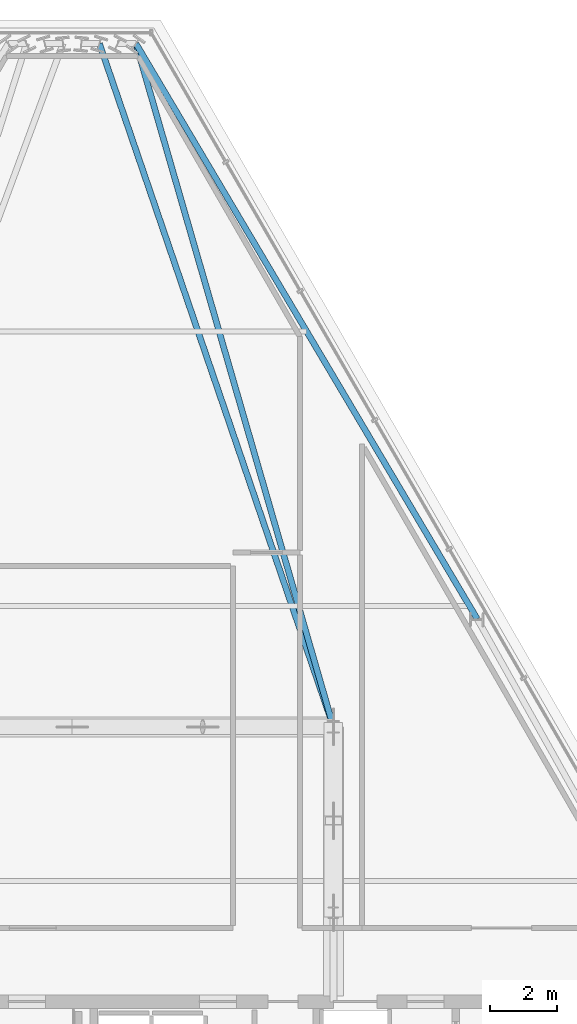
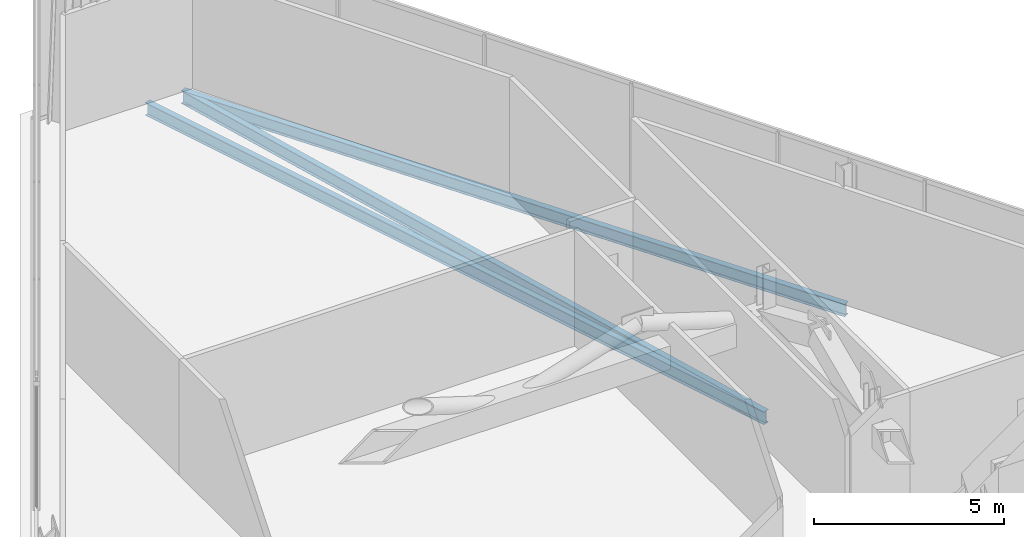
# One storey, part 19 of 32: 3 beams.
"""IFC4 building model written with IfcOpenShell, lengths in metres."""

import ifcopenshell
import ifcopenshell.guid

model = None  # the IFC model being written
_history = None  # IfcOwnerHistory: only IFC2X3 demands one
_inside = {}  # id of a spatial element -> (the spatial element, [elements in it])
_under = {}  # id of a project, library or spatial element -> (it, [spatial elements below it])
_declared = {}  # id of a project -> (the project, [libraries it declares])
_typed = {}  # id of a type object -> (the type object, [elements of that type])
_made_of = {}  # id of a material, layer set ... -> (it, [elements and type objects made of it])


def new_model(schema):
    """Start an empty IFC model of exactly this schema.

    Asked for "IFC4X3", IfcOpenShell would pick the latest addendum, in which some entities
    have other attributes; the version numbers below select the first issue.
    IFC2X3 requires an IfcOwnerHistory on every rooted entity: one is made here for all.
    """
    global model, _history
    if schema == "IFC4X3":
        model = ifcopenshell.file(schema_version=(4, 3, 0, 0))
    else:
        model = ifcopenshell.file(schema=schema)
    _inside.clear()
    _under.clear()
    _declared.clear()
    _typed.clear()
    _made_of.clear()
    _history = None
    if model.schema == "IFC2X3":
        org = make("IfcOrganization", Name="unknown")
        user = make(
            "IfcPersonAndOrganization",
            ThePerson=make("IfcPerson", FamilyName="unknown"),
            TheOrganization=org,
        )
        app = make(
            "IfcApplication",
            ApplicationDeveloper=org,
            Version="unknown",
            ApplicationFullName="unknown",
            ApplicationIdentifier="unknown",
        )
        _history = make(
            "IfcOwnerHistory",
            OwningUser=user,
            OwningApplication=app,
            ChangeAction="ADDED",
            CreationDate=0,
        )
    return model


def make(cls, **values):
    """One entity of the class cls with the attributes given. An attribute that is None is left unset."""
    return model.create_entity(
        cls, **{name: value for name, value in values.items() if value is not None}
    )


def rooted(cls, **values):
    """An entity with a GlobalId (a new one), such as an element, a storey or a relation."""
    return make(cls, GlobalId=ifcopenshell.guid.new(), OwnerHistory=_history, **values)


def si_unit(unit_type, name, prefix=None):
    """IfcSIUnit, for example si_unit("LENGTHUNIT", "METRE", prefix="MILLI")."""
    return make("IfcSIUnit", UnitType=unit_type, Prefix=prefix, Name=name)


def assignment(units):
    """IfcUnitAssignment: the units of a project."""
    return None if units is None else make("IfcUnitAssignment", Units=units)


def point(xyz):
    """IfcCartesianPoint."""
    return None if xyz is None else make("IfcCartesianPoint", Coordinates=xyz)


def direction(xyz):
    """IfcDirection."""
    return None if xyz is None else make("IfcDirection", DirectionRatios=xyz)


def frame(location, z_axis=None, x_axis=None):
    """IfcAxis2Placement3D, a coordinate frame: its origin and axes. An axis left out is left unset."""
    return make(
        "IfcAxis2Placement3D",
        Location=point(location),
        Axis=direction(z_axis),
        RefDirection=direction(x_axis),
    )


def frame_2d(location, x_axis=None):
    """IfcAxis2Placement2D, a coordinate frame in the plane: its origin and x axis."""
    return make(
        "IfcAxis2Placement2D", Location=point(location), RefDirection=direction(x_axis)
    )


def origin():
    """The frame at (0, 0, 0) with its axes left unset."""
    return frame((0.0, 0.0, 0.0))


def origin_2d():
    """The frame at (0, 0) in the plane with its x axis left unset."""
    return frame_2d((0.0, 0.0))


def place(relative_to, where):
    """IfcLocalPlacement: puts the frame where relative to a parent placement (None: the world)."""
    return make(
        "IfcLocalPlacement", PlacementRelTo=relative_to, RelativePlacement=where
    )


def context(
    kind, dimensions, precision=None, world=None, true_north=None, identifier=None
):
    """IfcGeometricRepresentationContext, for example the 3D "Model" context."""
    return make(
        "IfcGeometricRepresentationContext",
        ContextIdentifier=identifier,
        ContextType=kind,
        CoordinateSpaceDimension=dimensions,
        Precision=precision,
        WorldCoordinateSystem=world,
        TrueNorth=true_north,
    )


def subcontext(parent, identifier, kind, view, scale=None):
    """IfcGeometricRepresentationSubContext, for example "Body" below "Model"."""
    return make(
        "IfcGeometricRepresentationSubContext",
        ContextIdentifier=identifier,
        ContextType=kind,
        ParentContext=parent,
        TargetScale=scale,
        TargetView=view,
    )


def project(units=None, contexts=None):
    """IfcProject with its units and contexts."""
    return rooted(
        "IfcProject",
        Name="project",
        RepresentationContexts=contexts,
        UnitsInContext=assignment(units),
    )


def spatial(cls, under=None, at=None, **own):
    """A site, building, storey or space (cls), placed at a placement, below another one or the project."""
    s = rooted(cls, ObjectPlacement=at, **own)
    if under is not None:
        _under.setdefault(under.id(), (under, []))[1].append(s)
    return s


def profile(cls, at=None, kind="AREA", **sizes):
    """A parametric profile (cls). Its sizes go by their IFC names, for example OverallWidth=200.0."""
    return make(cls, ProfileType=kind, Position=at, **sizes)


def i_section(**sizes):
    """IfcIShapeProfileDef."""
    return profile("IfcIShapeProfileDef", **sizes)


def extrude(swept, where, along, depth):
    """IfcExtrudedAreaSolid: the profile swept, set in the frame where, extruded along a direction by depth."""
    return make(
        "IfcExtrudedAreaSolid",
        SweptArea=swept,
        Position=where,
        ExtrudedDirection=direction(along),
        Depth=depth,
    )


def shape(context_of_items, identifier, shape_type, items):
    """IfcShapeRepresentation: the items that make up one representation, for example the "Body"."""
    return make(
        "IfcShapeRepresentation",
        ContextOfItems=context_of_items,
        RepresentationIdentifier=identifier,
        RepresentationType=shape_type,
        Items=items,
    )


def material(Name=None, Category=None):
    """IfcMaterial."""
    return make("IfcMaterial", Name=Name, Category=Category)


def material_profile(
    of_material, cross_section, Name=None, Category=None, Priority=None
):
    """IfcMaterialProfile: a cross section and its material."""
    return make(
        "IfcMaterialProfile",
        Name=Name,
        Material=of_material,
        Profile=cross_section,
        Priority=Priority,
        Category=Category,
    )


def profile_set(profiles, Name=None, composite=None):
    """IfcMaterialProfileSet."""
    return make(
        "IfcMaterialProfileSet",
        Name=Name,
        MaterialProfiles=profiles,
        CompositeProfile=composite,
    )


def made_of(thing, what):
    """Note that an element or type object is made of a material, layer set ...; save() writes the relation."""
    if what is not None:
        _made_of.setdefault(what.id(), (what, []))[1].append(thing)
    return thing


def type_object(cls, material=None, **own):
    """A type object (cls), such as IfcWallType, which elements share."""
    return made_of(rooted(cls, **own), material)


def element(
    cls,
    number,
    at=None,
    inside=None,
    cuts=None,
    type_object=None,
    material=None,
    context=None,
    identifier="Body",
    shape_type=None,
    held_by="IfcProductDefinitionShape",
    body=None,
    shapes=None,
    **own,
):
    """One element of the class cls, such as IfcWall. Its Tag is "e" and its number.

    at: its placement. inside: the storey or other place that contains it. cuts: it is an
    opening in that element (IfcRelVoidsElement). A single representation is given by context,
    identifier, shape_type and body (its items); several are given by shapes. held_by: the class
    of the entity that holds the representations. save() writes the other relations.
    """
    e = rooted(cls, Tag="e%d" % number, ObjectPlacement=at, **own)
    if body is not None:
        shapes = [shape(context, identifier, shape_type, body)]
    if shapes is not None:
        e.Representation = make(held_by, Representations=shapes)
    if inside is not None:
        _inside.setdefault(inside.id(), (inside, []))[1].append(e)
    if cuts is not None:
        rooted(
            "IfcRelVoidsElement", RelatingBuildingElement=cuts, RelatedOpeningElement=e
        )
    if type_object is not None:
        _typed.setdefault(type_object.id(), (type_object, []))[1].append(e)
    return made_of(e, material)


def aggregate(whole, parts):
    """IfcRelAggregates: a whole, such as a stair, and the parts it consists of."""
    return rooted("IfcRelAggregates", RelatingObject=whole, RelatedObjects=parts)


def save(model, path):
    """Write the relations noted so far, then the file.

    IfcRelAggregates (storeys below a building ...), IfcRelContainedInSpatialStructure (elements
    in a storey), IfcRelDefinesByType, IfcRelAssociatesMaterial and IfcRelDeclares: one each for
    every whole, place, type object, material and project.
    """
    for whole, parts in _under.values():
        aggregate(whole, parts)
    for where, things in _inside.values():
        rooted(
            "IfcRelContainedInSpatialStructure",
            RelatedElements=things,
            RelatingStructure=where,
        )
    for kind, things in _typed.values():
        rooted("IfcRelDefinesByType", RelatedObjects=things, RelatingType=kind)
    for what, things in _made_of.values():
        rooted("IfcRelAssociatesMaterial", RelatedObjects=things, RelatingMaterial=what)
    for by, libraries in _declared.values():
        rooted("IfcRelDeclares", RelatingContext=by, RelatedDefinitions=libraries)
    model.write(path)


model = new_model("IFC4")

# Units and contexts
model_context = context("Model", 3, precision=1e-05, world=origin(), true_north=direction((0.0, 1.0)))
body_context = subcontext(model_context, "Body", "Model", "MODEL_VIEW")
ifc_project = project(units=[si_unit("LENGTHUNIT", "METRE"), si_unit("AREAUNIT", "SQUARE_METRE"), si_unit("VOLUMEUNIT", "CUBIC_METRE"), si_unit("PLANEANGLEUNIT", "RADIAN"), si_unit("MASSUNIT", "GRAM", prefix="KILO")], contexts=[model_context])

# Site, building, storey
site_placement = place(None, origin())
site = spatial("IfcSite", under=ifc_project, at=site_placement, CompositionType="ELEMENT")
building_placement = place(site_placement, origin())
building = spatial("IfcBuilding", under=site, at=building_placement, Name="Ndaravel Arena Tower", CompositionType="ELEMENT")
storey_placement = place(building_placement, frame((0.0, 0.0, 278.800048828125)))
storey = spatial("IfcBuildingStorey", under=building, at=storey_placement, Name="L68", CompositionType="ELEMENT", Elevation=278.800048828125)

# Beams
ifc_material_1 = material(Name="Steel S355", Category="steel")
ifc_material_profile_1 = material_profile(ifc_material_1, i_section(OverallWidth=0.1787109375, OverallDepth=0.409423828125, WebThickness=0.0087890625, FlangeThickness=0.014404296875, FilletRadius=0.01025390625, at=origin_2d()), Name="UB 406x178x67")
ifc_profile_set_1 = profile_set([ifc_material_profile_1], Name="Steel S355")
beam_type_1 = type_object("IfcBeamType", Name="BM-GIRD-UB406", PredefinedType="BEAM", material=ifc_profile_set_1)
beam_1_placement = place(storey_placement, frame((43.905517578125, 43.59228515625, -0.48486328125), z_axis=(0.277688029205, -0.960671306138, 0.0), x_axis=(0.960671306138, 0.277688029205, 0.0)))
element("IfcBeam", 1, at=beam_1_placement, inside=storey, type_object=beam_type_1, Name="L68 Radial Floor Girder FG-11", PredefinedType="BEAM", context=body_context, shape_type="SweptSolid", body=[
    extrude(i_section(OverallWidth=0.1787109375, OverallDepth=0.409423828125, WebThickness=0.0087890625, FlangeThickness=0.014404296875, FilletRadius=0.01025390625, at=origin_2d()), origin(), (0.0, 0.0, 1.0), 21.22705078125),
])
beam_2_placement = place(storey_placement, frame((42.816650390625, 43.59228515625, -0.48486328125), z_axis=(0.323981448665, -0.946063433878, 0.0), x_axis=(0.946063433878, 0.323981448665, 0.0)))
element("IfcBeam", 2, at=beam_2_placement, inside=storey, type_object=beam_type_1, Name="L68 Radial Floor Girder FG-13", PredefinedType="BEAM", context=body_context, shape_type="SweptSolid", body=[
    extrude(i_section(OverallWidth=0.1787109375, OverallDepth=0.409423828125, WebThickness=0.0087890625, FlangeThickness=0.014404296875, FilletRadius=0.01025390625, at=origin_2d()), origin(), (0.0, 0.0, 1.0), 21.554931640625),
])
ifc_material_2 = material(Name="Steel S355", Category="steel")
ifc_material_profile_2 = material_profile(ifc_material_2, i_section(OverallWidth=0.179931640625, OverallDepth=0.39990234375, WebThickness=0.008544921875, FlangeThickness=0.013427734375, FilletRadius=0.02099609375, at=origin_2d()), Name="IPE 400")
ifc_profile_set_2 = profile_set([ifc_material_profile_2], Name="Steel S355")
beam_type_2 = type_object("IfcBeamType", Name="BM-SPAN-IPE400", PredefinedType="SPANDREL", material=ifc_profile_set_2)
beam_3_placement = place(storey_placement, frame((54.0908203125, 26.422119140625, -0.47998046875), z_axis=(-0.510187501256, 0.860063203237, 0.0), x_axis=(-0.860063203237, -0.510187501256, 0.0)))
element("IfcBeam", 3, at=beam_3_placement, inside=storey, type_object=beam_type_2, Name="L68 Perimeter Spandrel Beam SP-10", PredefinedType="SPANDREL", context=body_context, shape_type="SweptSolid", body=[
    extrude(i_section(OverallWidth=0.179931640625, OverallDepth=0.39990234375, WebThickness=0.008544921875, FlangeThickness=0.013427734375, FilletRadius=0.02099609375, at=origin_2d()), origin(), (0.0, 0.0, 1.0), 19.9638671875),
])

save(model, "model.ifc")
